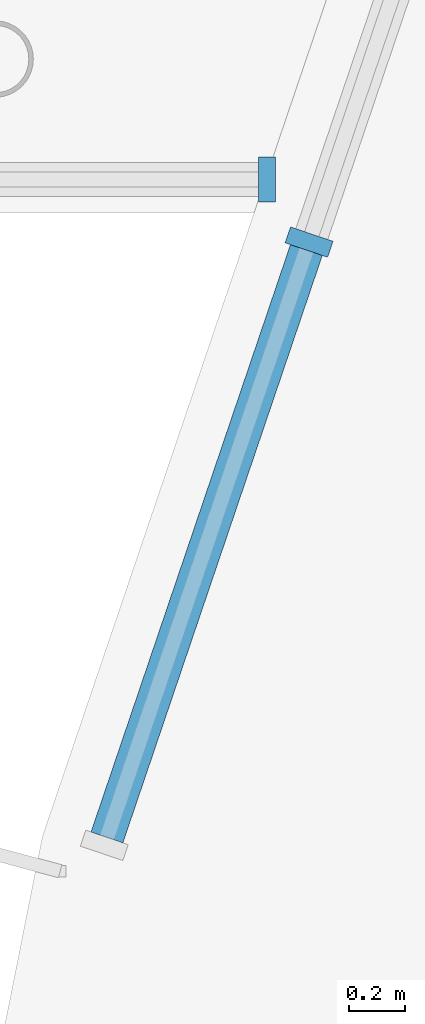
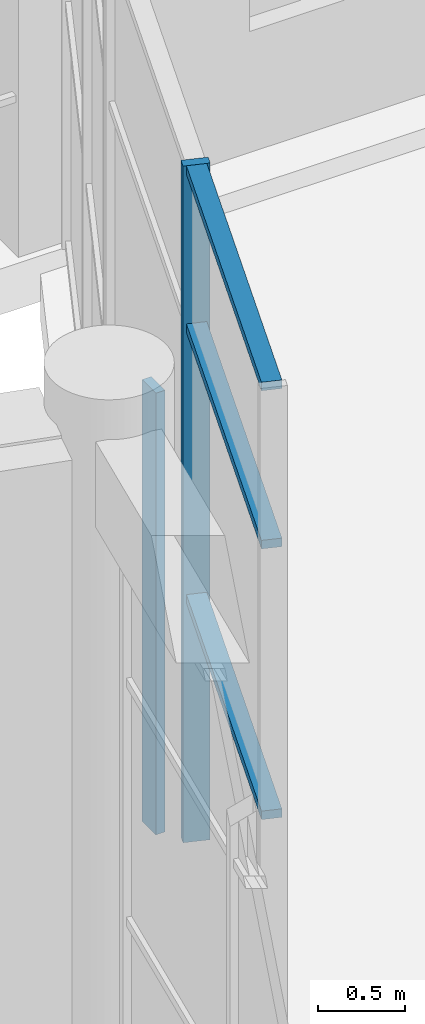
# One storey, part 33 of 99: 5 members, 2 elements without a shape of their own.
"""IFC4 building model written with IfcOpenShell, lengths in metres."""

from ifc_helpers import new_model, si_unit, direction, frame, origin, origin_2d, place, context, subcontext, project, spatial, rectangle, extrude, material, material_profile, profile_set, type_object, element, aggregate, save


model = new_model("IFC4")

# Units and contexts
model_context = context("Model", 3, precision=1e-05, world=origin(), true_north=direction((0.0, 1.0)))
body_context = subcontext(model_context, "Body", "Model", "MODEL_VIEW")
ifc_project = project(units=[si_unit("LENGTHUNIT", "METRE"), si_unit("AREAUNIT", "SQUARE_METRE"), si_unit("VOLUMEUNIT", "CUBIC_METRE"), si_unit("PLANEANGLEUNIT", "RADIAN"), si_unit("MASSUNIT", "GRAM", prefix="KILO")], contexts=[model_context])

# Site, building, storey
site_placement = place(None, origin())
site = spatial("IfcSite", under=ifc_project, at=site_placement, CompositionType="ELEMENT")
building_placement = place(site_placement, origin())
building = spatial("IfcBuilding", under=site, at=building_placement, Name="Saryqyr Civic Hall", CompositionType="ELEMENT")
storey_placement = place(building_placement, origin())
storey = spatial("IfcBuildingStorey", under=building, at=storey_placement, Name="L00", CompositionType="ELEMENT", Elevation=0.0)

# Curtain wall, member
ifc_material_1 = material(Name="Anodised aluminium and triple low-E glass", Category="aluminium")
curtain_wall_type_1 = type_object("IfcCurtainWallType", Name="ENV-CW-STD-67", PredefinedType="NOTDEFINED", material=ifc_material_1)
curtain_wall_1_placement = place(storey_placement, origin())
curtain_wall_1 = element("IfcCurtainWall", 1, at=curtain_wall_1_placement, inside=storey, type_object=curtain_wall_type_1, Name="Curtain wall V2-PERIM-CW-L00-21", PredefinedType="NOTDEFINED")
ifc_material_2 = material(Name="Anodised aluminium", Category="aluminium")
ifc_material_profile_1 = material_profile(ifc_material_2, rectangle(XDim=0.06005859375, YDim=0.159912109375, at=origin_2d()), Name="ALU MULLION 60x160")
ifc_profile_set_1 = profile_set([ifc_material_profile_1], Name="Anodised aluminium")
member_type_1 = type_object("IfcMemberType", Name="ENV-CW-MUL-180", PredefinedType="MULLION", material=ifc_profile_set_1)
member_1_placement = place(storey_placement, frame((23.720458984375, 95.296875, 0.0), z_axis=(0.0, 0.0, 1.0), x_axis=(0.321445459178, 0.946928094828, 0.0)))
member_1 = element("IfcMember", 2, at=member_1_placement, type_object=member_type_1, Name="CW-67 mullion 2", PredefinedType="MULLION", context=body_context, shape_type="SweptSolid", body=[
    extrude(rectangle(XDim=0.06005859375, YDim=0.159912109375, at=origin_2d()), origin(), (0.0, 0.0, 1.0), 4.75),
])

curtain_wall_type_2 = type_object("IfcCurtainWallType", Name="ENV-CW-STD-82", PredefinedType="NOTDEFINED", material=ifc_material_1)
curtain_wall_2_placement = place(storey_placement, origin())
curtain_wall_2 = element("IfcCurtainWall", 3, at=curtain_wall_2_placement, inside=storey, type_object=curtain_wall_type_2, Name="Curtain wall BR-NW-CW1-L00", PredefinedType="NOTDEFINED")
member_2_placement = place(storey_placement, frame((23.570068359375, 95.52001953125, 0.0), z_axis=(0.0, 0.0, 1.0), x_axis=(-1.0, 0.0, 0.0)))
member_2 = element("IfcMember", 4, at=member_2_placement, type_object=member_type_1, Name="CW-82 mullion 1", PredefinedType="MULLION", context=body_context, shape_type="SweptSolid", body=[
    extrude(rectangle(XDim=0.06005859375, YDim=0.159912109375, at=origin_2d()), origin(), (0.0, 0.0, 1.0), 3.10009765625),
])
aggregate(curtain_wall_2, [member_2])

# Member
ifc_material_profile_2 = material_profile(ifc_material_2, rectangle(XDim=0.1201171875, YDim=0.06005859375, at=origin_2d()), Name="ALU TRANSOM 120x60")
ifc_profile_set_2 = profile_set([ifc_material_profile_2], Name="Anodised aluminium")
member_type_2 = type_object("IfcMemberType", Name="ENV-CW-TRN-150", PredefinedType="USERDEFINED", material=ifc_profile_set_2)
member_3_placement = place(storey_placement, frame((22.999267578125, 93.17236328125, 1.7099609375), z_axis=(0.321483543904, 0.946915165682, 0.0), x_axis=(-0.946915165682, 0.321483543904, 0.0)))
member_3 = element("IfcMember", 5, at=member_3_placement, type_object=member_type_2, Name="CW-67 transom 1.2", ObjectType="TRANSOM", PredefinedType="USERDEFINED", context=body_context, shape_type="SweptSolid", body=[
    extrude(rectangle(XDim=0.1201171875, YDim=0.06005859375, at=origin_2d()), origin(), (0.0, 0.0, 1.0), 2.213623046875),
])

member_4_placement = place(storey_placement, frame((22.999267578125, 93.17236328125, 3.610107421875), z_axis=(0.321483543904, 0.946915165682, 0.0), x_axis=(-0.946915165682, 0.321483543904, 0.0)))
member_4 = element("IfcMember", 6, at=member_4_placement, type_object=member_type_2, Name="CW-67 transom 1.3", ObjectType="TRANSOM", PredefinedType="USERDEFINED", context=body_context, shape_type="SweptSolid", body=[
    extrude(rectangle(XDim=0.1201171875, YDim=0.06005859375, at=origin_2d()), origin(), (0.0, 0.0, 1.0), 2.213623046875),
])

member_5_placement = place(storey_placement, frame((22.999267578125, 93.17236328125, 4.719970703125), z_axis=(0.321483543904, 0.946915165682, 0.0), x_axis=(-0.946915165682, 0.321483543904, 0.0)))
member_5 = element("IfcMember", 7, at=member_5_placement, type_object=member_type_2, Name="CW-67 transom 1.4", ObjectType="TRANSOM", PredefinedType="USERDEFINED", context=body_context, shape_type="SweptSolid", body=[
    extrude(rectangle(XDim=0.1201171875, YDim=0.06005859375, at=origin_2d()), origin(), (0.0, 0.0, 1.0), 2.213623046875),
])

aggregate(curtain_wall_1, [member_1, member_3, member_4, member_5])

save(model, "model.ifc")
